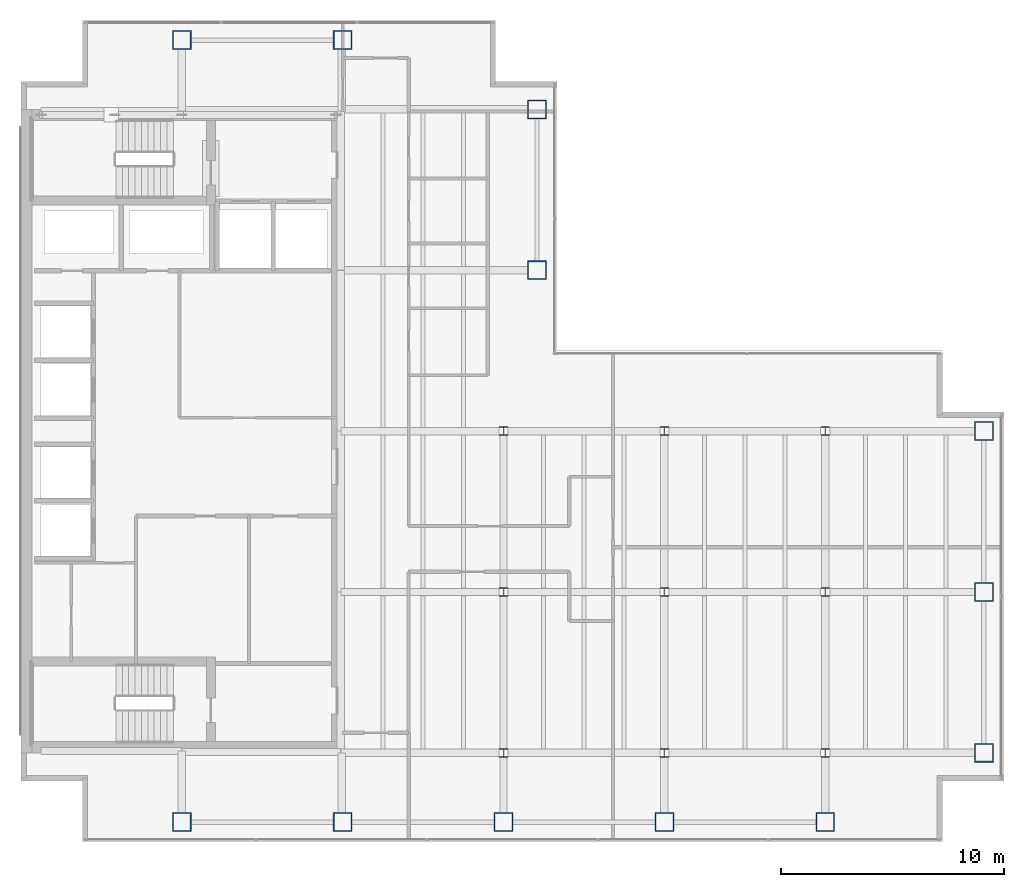
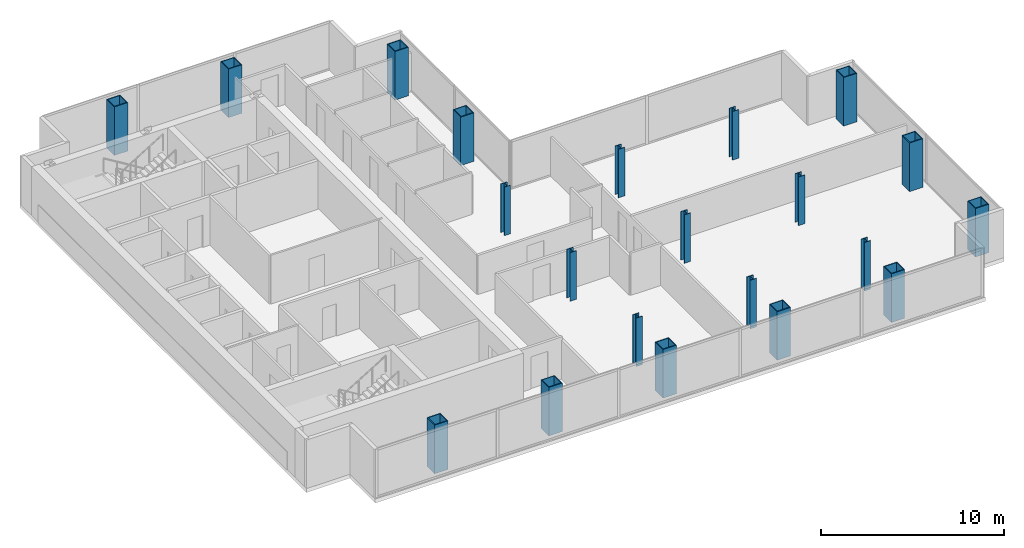
# One storey, part 1 of 23: 21 columns.
"""IFC4 building model written with IfcOpenShell, lengths in metres."""

import ifcopenshell
import ifcopenshell.guid

model = None  # the IFC model being written
_history = None  # IfcOwnerHistory: only IFC2X3 demands one
_inside = {}  # id of a spatial element -> (the spatial element, [elements in it])
_under = {}  # id of a project, library or spatial element -> (it, [spatial elements below it])
_declared = {}  # id of a project -> (the project, [libraries it declares])
_typed = {}  # id of a type object -> (the type object, [elements of that type])
_made_of = {}  # id of a material, layer set ... -> (it, [elements and type objects made of it])


def new_model(schema):
    """Start an empty IFC model of exactly this schema.

    Asked for "IFC4X3", IfcOpenShell would pick the latest addendum, in which some entities
    have other attributes; the version numbers below select the first issue.
    IFC2X3 requires an IfcOwnerHistory on every rooted entity: one is made here for all.
    """
    global model, _history
    if schema == "IFC4X3":
        model = ifcopenshell.file(schema_version=(4, 3, 0, 0))
    else:
        model = ifcopenshell.file(schema=schema)
    _inside.clear()
    _under.clear()
    _declared.clear()
    _typed.clear()
    _made_of.clear()
    _history = None
    if model.schema == "IFC2X3":
        org = make("IfcOrganization", Name="unknown")
        user = make(
            "IfcPersonAndOrganization",
            ThePerson=make("IfcPerson", FamilyName="unknown"),
            TheOrganization=org,
        )
        app = make(
            "IfcApplication",
            ApplicationDeveloper=org,
            Version="unknown",
            ApplicationFullName="unknown",
            ApplicationIdentifier="unknown",
        )
        _history = make(
            "IfcOwnerHistory",
            OwningUser=user,
            OwningApplication=app,
            ChangeAction="ADDED",
            CreationDate=0,
        )
    return model


def make(cls, **values):
    """One entity of the class cls with the attributes given. An attribute that is None is left unset."""
    return model.create_entity(
        cls, **{name: value for name, value in values.items() if value is not None}
    )


def rooted(cls, **values):
    """An entity with a GlobalId (a new one), such as an element, a storey or a relation."""
    return make(cls, GlobalId=ifcopenshell.guid.new(), OwnerHistory=_history, **values)


def si_unit(unit_type, name, prefix=None):
    """IfcSIUnit, for example si_unit("LENGTHUNIT", "METRE", prefix="MILLI")."""
    return make("IfcSIUnit", UnitType=unit_type, Prefix=prefix, Name=name)


def assignment(units):
    """IfcUnitAssignment: the units of a project."""
    return None if units is None else make("IfcUnitAssignment", Units=units)


def point(xyz):
    """IfcCartesianPoint."""
    return None if xyz is None else make("IfcCartesianPoint", Coordinates=xyz)


def direction(xyz):
    """IfcDirection."""
    return None if xyz is None else make("IfcDirection", DirectionRatios=xyz)


def frame(location, z_axis=None, x_axis=None):
    """IfcAxis2Placement3D, a coordinate frame: its origin and axes. An axis left out is left unset."""
    return make(
        "IfcAxis2Placement3D",
        Location=point(location),
        Axis=direction(z_axis),
        RefDirection=direction(x_axis),
    )


def frame_2d(location, x_axis=None):
    """IfcAxis2Placement2D, a coordinate frame in the plane: its origin and x axis."""
    return make(
        "IfcAxis2Placement2D", Location=point(location), RefDirection=direction(x_axis)
    )


def origin():
    """The frame at (0, 0, 0) with its axes left unset."""
    return frame((0.0, 0.0, 0.0))


def origin_2d():
    """The frame at (0, 0) in the plane with its x axis left unset."""
    return frame_2d((0.0, 0.0))


def place(relative_to, where):
    """IfcLocalPlacement: puts the frame where relative to a parent placement (None: the world)."""
    return make(
        "IfcLocalPlacement", PlacementRelTo=relative_to, RelativePlacement=where
    )


def context(
    kind, dimensions, precision=None, world=None, true_north=None, identifier=None
):
    """IfcGeometricRepresentationContext, for example the 3D "Model" context."""
    return make(
        "IfcGeometricRepresentationContext",
        ContextIdentifier=identifier,
        ContextType=kind,
        CoordinateSpaceDimension=dimensions,
        Precision=precision,
        WorldCoordinateSystem=world,
        TrueNorth=true_north,
    )


def subcontext(parent, identifier, kind, view, scale=None):
    """IfcGeometricRepresentationSubContext, for example "Body" below "Model"."""
    return make(
        "IfcGeometricRepresentationSubContext",
        ContextIdentifier=identifier,
        ContextType=kind,
        ParentContext=parent,
        TargetScale=scale,
        TargetView=view,
    )


def project(units=None, contexts=None):
    """IfcProject with its units and contexts."""
    return rooted(
        "IfcProject",
        Name="project",
        RepresentationContexts=contexts,
        UnitsInContext=assignment(units),
    )


def spatial(cls, under=None, at=None, **own):
    """A site, building, storey or space (cls), placed at a placement, below another one or the project."""
    s = rooted(cls, ObjectPlacement=at, **own)
    if under is not None:
        _under.setdefault(under.id(), (under, []))[1].append(s)
    return s


def profile(cls, at=None, kind="AREA", **sizes):
    """A parametric profile (cls). Its sizes go by their IFC names, for example OverallWidth=200.0."""
    return make(cls, ProfileType=kind, Position=at, **sizes)


def hollow_rectangle(**sizes):
    """IfcRectangleHollowProfileDef."""
    return profile("IfcRectangleHollowProfileDef", **sizes)


def i_section(**sizes):
    """IfcIShapeProfileDef."""
    return profile("IfcIShapeProfileDef", **sizes)


def extrude(swept, where, along, depth):
    """IfcExtrudedAreaSolid: the profile swept, set in the frame where, extruded along a direction by depth."""
    return make(
        "IfcExtrudedAreaSolid",
        SweptArea=swept,
        Position=where,
        ExtrudedDirection=direction(along),
        Depth=depth,
    )


def shape(context_of_items, identifier, shape_type, items):
    """IfcShapeRepresentation: the items that make up one representation, for example the "Body"."""
    return make(
        "IfcShapeRepresentation",
        ContextOfItems=context_of_items,
        RepresentationIdentifier=identifier,
        RepresentationType=shape_type,
        Items=items,
    )


def material(Name=None, Category=None):
    """IfcMaterial."""
    return make("IfcMaterial", Name=Name, Category=Category)


def material_profile(
    of_material, cross_section, Name=None, Category=None, Priority=None
):
    """IfcMaterialProfile: a cross section and its material."""
    return make(
        "IfcMaterialProfile",
        Name=Name,
        Material=of_material,
        Profile=cross_section,
        Priority=Priority,
        Category=Category,
    )


def profile_set(profiles, Name=None, composite=None):
    """IfcMaterialProfileSet."""
    return make(
        "IfcMaterialProfileSet",
        Name=Name,
        MaterialProfiles=profiles,
        CompositeProfile=composite,
    )


def made_of(thing, what):
    """Note that an element or type object is made of a material, layer set ...; save() writes the relation."""
    if what is not None:
        _made_of.setdefault(what.id(), (what, []))[1].append(thing)
    return thing


def type_object(cls, material=None, **own):
    """A type object (cls), such as IfcWallType, which elements share."""
    return made_of(rooted(cls, **own), material)


def element(
    cls,
    number,
    at=None,
    inside=None,
    cuts=None,
    type_object=None,
    material=None,
    context=None,
    identifier="Body",
    shape_type=None,
    held_by="IfcProductDefinitionShape",
    body=None,
    shapes=None,
    **own,
):
    """One element of the class cls, such as IfcWall. Its Tag is "e" and its number.

    at: its placement. inside: the storey or other place that contains it. cuts: it is an
    opening in that element (IfcRelVoidsElement). A single representation is given by context,
    identifier, shape_type and body (its items); several are given by shapes. held_by: the class
    of the entity that holds the representations. save() writes the other relations.
    """
    e = rooted(cls, Tag="e%d" % number, ObjectPlacement=at, **own)
    if body is not None:
        shapes = [shape(context, identifier, shape_type, body)]
    if shapes is not None:
        e.Representation = make(held_by, Representations=shapes)
    if inside is not None:
        _inside.setdefault(inside.id(), (inside, []))[1].append(e)
    if cuts is not None:
        rooted(
            "IfcRelVoidsElement", RelatingBuildingElement=cuts, RelatedOpeningElement=e
        )
    if type_object is not None:
        _typed.setdefault(type_object.id(), (type_object, []))[1].append(e)
    return made_of(e, material)


def aggregate(whole, parts):
    """IfcRelAggregates: a whole, such as a stair, and the parts it consists of."""
    return rooted("IfcRelAggregates", RelatingObject=whole, RelatedObjects=parts)


def save(model, path):
    """Write the relations noted so far, then the file.

    IfcRelAggregates (storeys below a building ...), IfcRelContainedInSpatialStructure (elements
    in a storey), IfcRelDefinesByType, IfcRelAssociatesMaterial and IfcRelDeclares: one each for
    every whole, place, type object, material and project.
    """
    for whole, parts in _under.values():
        aggregate(whole, parts)
    for where, things in _inside.values():
        rooted(
            "IfcRelContainedInSpatialStructure",
            RelatedElements=things,
            RelatingStructure=where,
        )
    for kind, things in _typed.values():
        rooted("IfcRelDefinesByType", RelatedObjects=things, RelatingType=kind)
    for what, things in _made_of.values():
        rooted("IfcRelAssociatesMaterial", RelatedObjects=things, RelatingMaterial=what)
    for by, libraries in _declared.values():
        rooted("IfcRelDeclares", RelatingContext=by, RelatedDefinitions=libraries)
    model.write(path)


model = new_model("IFC4")

# Units and contexts
model_context = context("Model", 3, precision=1e-05, world=origin(), true_north=direction((0.0, 1.0)))
body_context = subcontext(model_context, "Body", "Model", "MODEL_VIEW")
ifc_project = project(units=[si_unit("LENGTHUNIT", "METRE"), si_unit("AREAUNIT", "SQUARE_METRE"), si_unit("VOLUMEUNIT", "CUBIC_METRE"), si_unit("PLANEANGLEUNIT", "RADIAN"), si_unit("MASSUNIT", "GRAM", prefix="KILO")], contexts=[model_context])

# Site, building, storey
site_placement = place(None, origin())
site = spatial("IfcSite", under=ifc_project, at=site_placement, CompositionType="ELEMENT")
building_placement = place(site_placement, origin())
building = spatial("IfcBuilding", under=site, at=building_placement, Name="Cobrela Telecom Tower", CompositionType="ELEMENT")
storey_placement = place(building_placement, frame((0.0, 0.0, 180.25)))
storey = spatial("IfcBuildingStorey", under=building, at=storey_placement, Name="L45", CompositionType="ELEMENT", Elevation=180.25)

# Columns
ifc_material_1 = material(Name="Steel ASTM A992 Grade 50", Category="steel")
ifc_material_profile_1 = material_profile(ifc_material_1, i_section(OverallWidth=0.39892578125, OverallDepth=0.39404296875, WebThickness=0.022705078125, FlangeThickness=0.03662109375, FilletRadius=0.01806640625, at=origin_2d()), Name="W14X193")
ifc_profile_set_1 = profile_set([ifc_material_profile_1], Name="Steel ASTM A992 Grade 50")
column_type_1 = type_object("IfcColumnType", Name="COL-INT-06", PredefinedType="COLUMN", material=ifc_profile_set_1)
for number, where, z_axis, x_axis, name in (
    (1, (21.60009765625, 7.199951171875, 0.0), (0.0, 0.0, 1.0), (1.0, 0.0, 0.0), "L45 Interior Column 06"),
    (2, (21.60009765625, 14.39990234375, 0.0), (0.0, 0.0, 1.0), (1.0, 0.0, 0.0), "L45 Interior Column 07"),
    (3, (21.60009765625, 21.60009765625, 0.0), (0.0, 0.0, 1.0), (1.0, 0.0, 0.0), "L45 Interior Column 08"),
    (4, (28.800048828125, 7.199951171875, 0.0), (0.0, 0.0, 1.0), (1.0, 0.0, 0.0), "L45 Interior Column 12"),
    (5, (28.800048828125, 14.39990234375, 0.0), (0.0, 0.0, 1.0), (1.0, 0.0, 0.0), "L45 Interior Column 13"),
    (6, (28.800048828125, 21.60009765625, 0.0), (0.0, 0.0, 1.0), (1.0, 0.0, 0.0), "L45 Interior Column 14"),
    (7, (36.0, 7.199951171875, 0.0), (0.0, 0.0, 1.0), (1.0, 0.0, 0.0), "L45 Interior Column 16"),
    (8, (36.0, 14.39990234375, 0.0), (0.0, 0.0, 1.0), (1.0, 0.0, 0.0), "L45 Interior Column 17"),
    (9, (36.0, 21.60009765625, 0.0), (0.0, 0.0, 1.0), (1.0, 0.0, 0.0), "L45 Interior Column 18"),
):
    element("IfcColumn", number, at=place(storey_placement, frame(where, z_axis=z_axis, x_axis=x_axis)), inside=storey, type_object=column_type_1, Name=name, PredefinedType="COLUMN", context=body_context, shape_type="SweptSolid", body=[
        extrude(i_section(OverallWidth=0.39892578125, OverallDepth=0.39404296875, WebThickness=0.022705078125, FlangeThickness=0.03662109375, FilletRadius=0.01806640625, at=origin_2d()), origin(), (0.0, 0.0, 1.0), 3.239990234375),
    ])
ifc_material_2 = material(Name="Steel ASTM A572 Grade 50", Category="steel")
ifc_material_profile_2 = material_profile(ifc_material_2, hollow_rectangle(XDim=0.85009765625, YDim=0.85009765625, WallThickness=0.050048828125, at=origin_2d()), Name="BOX 850x850x50")
ifc_profile_set_2 = profile_set([ifc_material_profile_2], Name="Steel ASTM A572 Grade 50")
column_type_2 = type_object("IfcColumnType", Name="COL-MEGA-06", PredefinedType="COLUMN", material=ifc_profile_set_2)
for number, where, z_axis, x_axis, name in (
    (10, (7.199951171875, 4.10009765625, 0.0), (0.0, 0.0, 1.0), (1.0, 0.0, 0.0), "L45 Perimeter Mega-Column 01"),
    (11, (7.199951171875, 39.10009765625, 0.0), (0.0, 0.0, 1.0), (1.0, 0.0, 0.0), "L45 Perimeter Mega-Column 02"),
    (12, (14.39990234375, 4.10009765625, 0.0), (0.0, 0.0, 1.0), (1.0, 0.0, 0.0), "L45 Perimeter Mega-Column 03"),
    (13, (14.39990234375, 39.10009765625, 0.0), (0.0, 0.0, 1.0), (1.0, 0.0, 0.0), "L45 Perimeter Mega-Column 04"),
    (14, (21.60009765625, 4.10009765625, 0.0), (0.0, 0.0, 1.0), (1.0, 0.0, 0.0), "L45 Perimeter Mega-Column 05"),
    (15, (23.10009765625, 28.800048828125, 0.0), (0.0, 0.0, 1.0), (1.0, 0.0, 0.0), "L45 Perimeter Mega-Column 09"),
    (16, (23.10009765625, 36.0, 0.0), (0.0, 0.0, 1.0), (1.0, 0.0, 0.0), "L45 Perimeter Mega-Column 10"),
    (17, (28.800048828125, 4.10009765625, 0.0), (0.0, 0.0, 1.0), (1.0, 0.0, 0.0), "L45 Perimeter Mega-Column 11"),
    (18, (36.0, 4.10009765625, 0.0), (0.0, 0.0, 1.0), (1.0, 0.0, 0.0), "L45 Perimeter Mega-Column 15"),
    (19, (43.10009765625, 7.199951171875, 0.0), (0.0, 0.0, 1.0), (1.0, 0.0, 0.0), "L45 Perimeter Mega-Column 19"),
    (20, (43.10009765625, 14.39990234375, 0.0), (0.0, 0.0, 1.0), (1.0, 0.0, 0.0), "L45 Perimeter Mega-Column 20"),
    (21, (43.10009765625, 21.60009765625, 0.0), (0.0, 0.0, 1.0), (1.0, 0.0, 0.0), "L45 Perimeter Mega-Column 21"),
):
    element("IfcColumn", number, at=place(storey_placement, frame(where, z_axis=z_axis, x_axis=x_axis)), inside=storey, type_object=column_type_2, Name=name, PredefinedType="COLUMN", context=body_context, shape_type="SweptSolid", body=[
        extrude(hollow_rectangle(XDim=0.85009765625, YDim=0.85009765625, WallThickness=0.050048828125, at=origin_2d()), origin(), (0.0, 0.0, 1.0), 3.239990234375),
    ])

save(model, "model.ifc")
